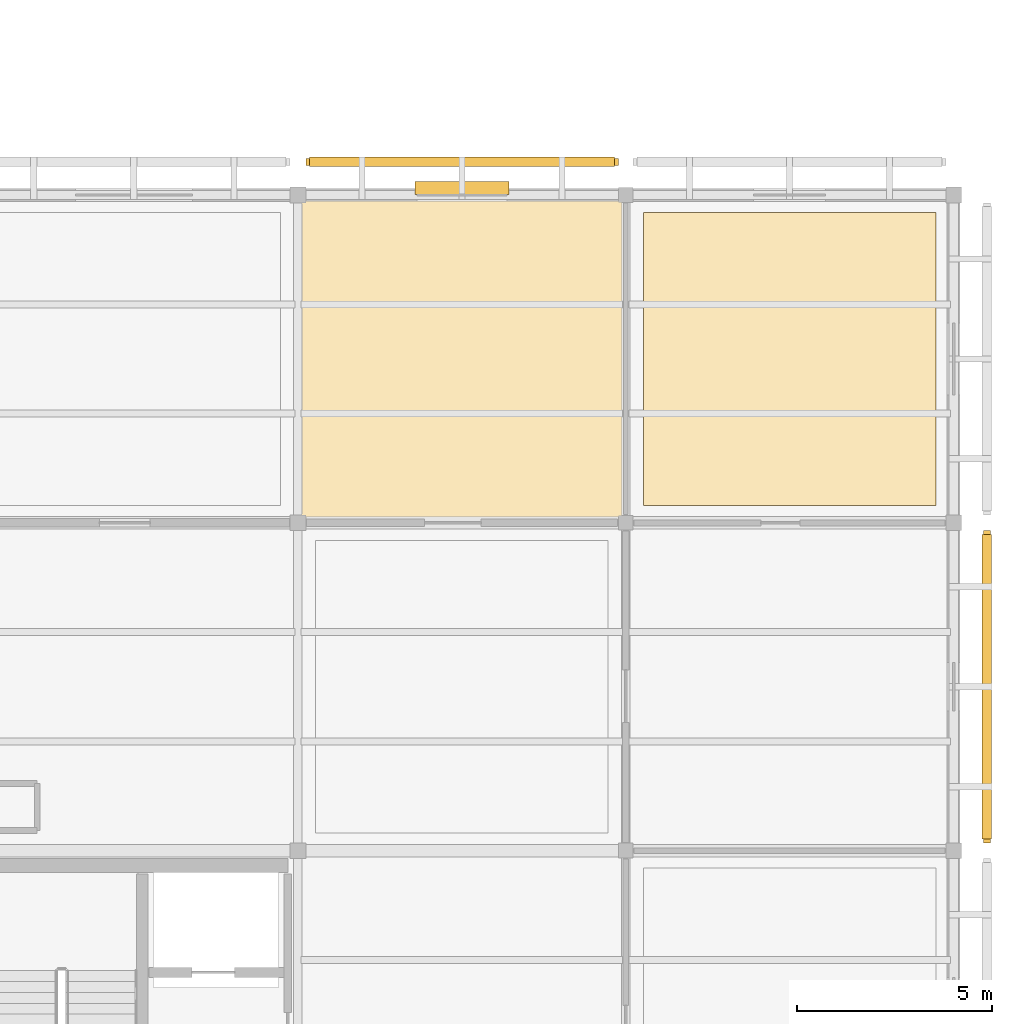
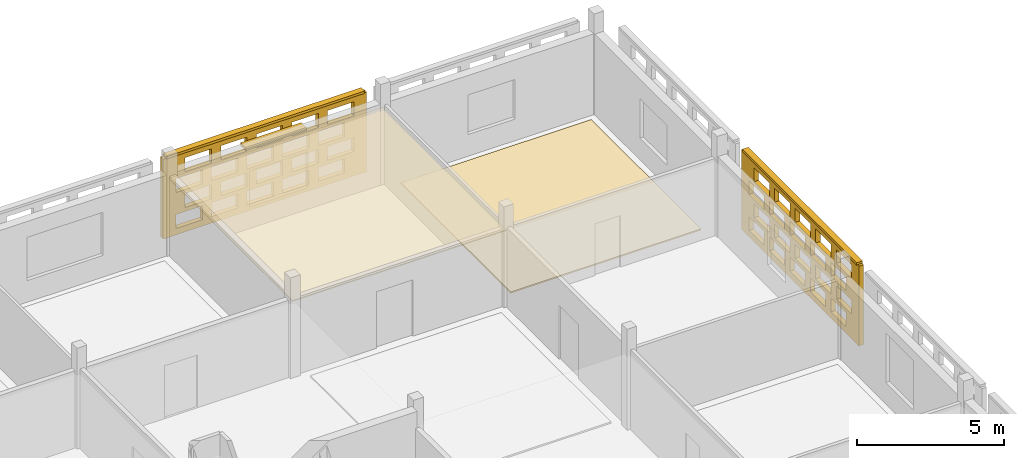
# One storey, part 139 of 140: 4 coverings, 3 shading devices, 40 openings.
"""IFC4 building model written with IfcOpenShell, lengths in metres."""

from ifc_helpers import new_model, si_unit, direction, frame, frame_2d, origin, origin_2d, place, context, subcontext, project, spatial, rectangle, extrude, material, layer, layer_set, type_object, element, save


model = new_model("IFC4")

# Units and contexts
model_context = context("Model", 3, precision=1e-05, world=origin(), true_north=direction((0.0, 1.0)))
body_context = subcontext(model_context, "Body", "Model", "MODEL_VIEW")
ifc_project = project(units=[si_unit("LENGTHUNIT", "METRE"), si_unit("AREAUNIT", "SQUARE_METRE"), si_unit("VOLUMEUNIT", "CUBIC_METRE"), si_unit("PLANEANGLEUNIT", "RADIAN"), si_unit("MASSUNIT", "GRAM", prefix="KILO")], contexts=[model_context])

# Site, building, storey
site_placement = place(None, origin())
site = spatial("IfcSite", under=ifc_project, at=site_placement, CompositionType="ELEMENT")
building_placement = place(site_placement, origin())
building = spatial("IfcBuilding", under=site, at=building_placement, Name="Varnapada Polytechnic", CompositionType="ELEMENT")
storey_placement = place(building_placement, frame((0.0, 0.0, 13.800048828125)))
storey = spatial("IfcBuildingStorey", under=building, at=storey_placement, Name="L03", CompositionType="ELEMENT", Elevation=13.800048828125)

# Covering
ifc_material_1 = material(Name="End-Grain Timber Studio Block Flooring", Category="wood")
ifc_layer_1 = layer(ifc_material_1, 0.054931640625)
ifc_layer_set_1 = layer_set([ifc_layer_1], Name="End-Grain Timber Studio Block Flooring")
covering_type_1 = type_object("IfcCoveringType", Name="Floor Finish FLR-04", PredefinedType="FLOORING", material=ifc_layer_set_1)
covering_1_placement = place(storey_placement, frame((172.199951171875, 113.39990234375, 0.0), z_axis=(0.0, 0.0, 1.0), x_axis=(1.0, 0.0, 0.0)))
element("IfcCovering", 1, at=covering_1_placement, inside=storey, type_object=covering_type_1, Name="L03 floor finish panel (21,14)", PredefinedType="FLOORING", context=body_context, shape_type="SweptSolid", body=[
    extrude(rectangle(XDim=7.5, YDim=7.5, at=origin_2d()), origin(), (0.0, 0.0, 1.0), 0.054931640625),
])

# Shading device
ifc_material_2 = material(Name="Anodised aluminium", Category="aluminium")
ifc_layer_2 = layer(ifc_material_2, 0.35009765625)
ifc_layer_set_2 = layer_set([ifc_layer_2], Name="Anodised aluminium")
shading_device_type_1 = type_object("IfcShadingDeviceType", Name="Solar Louvre LVR-01", PredefinedType="JALOUSIE", material=ifc_layer_set_2)
shading_device_1_placement = place(storey_placement, frame((163.804931640625, 117.780029296875, 3.159912109375), z_axis=(0.0, 0.0, 1.0), x_axis=(1.0, 0.0, 0.0)))
element("IfcShadingDevice", 2, at=shading_device_1_placement, inside=storey, type_object=shading_device_type_1, Name="L03 aluminium sun louvre 91", PredefinedType="JALOUSIE", context=body_context, shape_type="SweptSolid", body=[
    extrude(rectangle(XDim=2.39990234375, YDim=0.340087890625, at=origin_2d()), origin(), (0.0, 0.0, 1.0), 0.1201171875),
])

# Covering
ifc_material_3 = material(Name="Mineral Fibre Acoustic Ceiling Tile")
ifc_layer_3 = layer(ifc_material_3, 0.0400390625)
ifc_layer_set_3 = layer_set([ifc_layer_3], Name="Mineral Fibre Acoustic Ceiling Tile")
covering_type_2 = type_object("IfcCoveringType", Name="Suspended Ceiling CLG-01", PredefinedType="CEILING", material=ifc_layer_set_3)
covering_2_placement = place(storey_placement, frame((163.800048828125, 113.39990234375, 3.030029296875), z_axis=(0.0, 0.0, 1.0), x_axis=(1.0, 0.0, 0.0)))
element("IfcCovering", 3, at=covering_2_placement, inside=storey, type_object=covering_type_2, Name="L03 suspended acoustic ceiling (20,14)", PredefinedType="CEILING", context=body_context, shape_type="SweptSolid", body=[
    extrude(rectangle(XDim=8.419921875, YDim=8.419921875, at=origin_2d()), origin(), (0.0, 0.0, 1.0), 0.0400390625),
])

# Covering, openings
ifc_material_4 = material(Name="Earth-toned architectural terracotta screen block", Category="masonry")
ifc_layer_4 = layer(ifc_material_4, 0.1201171875)
ifc_layer_set_4 = layer_set([ifc_layer_4], Name="Earth-toned architectural terracotta screen block")
covering_type_3 = type_object("IfcCoveringType", Name="Terracotta Screen Cladding CLD-01", PredefinedType="CLADDING", material=ifc_layer_set_4)
covering_3_placement = place(storey_placement, frame((159.800048828125, 118.449951171875, 0.0), z_axis=(0.0, 0.0, 1.0), x_axis=(1.0, 0.0, 0.0)))
covering_3 = element("IfcCovering", 4, at=covering_3_placement, inside=storey, type_object=covering_type_3, Name="L03 perforated terracotta block screen (91)", PredefinedType="CLADDING", context=body_context, shape_type="SweptSolid", body=[
    extrude(rectangle(XDim=8.010009765625, YDim=0.179931640625, at=frame_2d((4.0048828125, 0.0))), origin(), (0.0, 0.0, 1.0), 3.320068359375),
])
opening_1_placement = place(covering_3_placement, frame((0.5048828125, 0.0, 0.265625)))
element("IfcOpeningElement", 5, at=opening_1_placement, cuts=covering_3, Name="Screen perforation TBS-L03-090.1", PredefinedType="OPENING", context=body_context, shape_type="SweptSolid", body=[
    extrude(rectangle(XDim=1.0400390625, YDim=0.5810546875, at=frame_2d((0.52001953125, 0.29052734375))), frame((0.0, 0.099853515625, 0.0), z_axis=(0.0, -1.0, 0.0), x_axis=(1.0, 0.0, 0.0)), (0.0, 0.0, 1.0), 0.199951171875),
])
opening_2_placement = place(covering_3_placement, frame((1.905029296875, 0.0, 0.265625)))
element("IfcOpeningElement", 6, at=opening_2_placement, cuts=covering_3, Name="Screen perforation TBS-L03-090.2", PredefinedType="OPENING", context=body_context, shape_type="SweptSolid", body=[
    extrude(rectangle(XDim=1.0400390625, YDim=0.5810546875, at=frame_2d((0.52001953125, 0.29052734375))), frame((0.0, 0.099853515625, 0.0), z_axis=(0.0, -1.0, 0.0), x_axis=(1.0, 0.0, 0.0)), (0.0, 0.0, 1.0), 0.199951171875),
])
opening_3_placement = place(covering_3_placement, frame((3.304931640625, 0.0, 0.265625)))
element("IfcOpeningElement", 7, at=opening_3_placement, cuts=covering_3, Name="Screen perforation TBS-L03-090.3", PredefinedType="OPENING", context=body_context, shape_type="SweptSolid", body=[
    extrude(rectangle(XDim=1.0400390625, YDim=0.5810546875, at=frame_2d((0.52001953125, 0.29052734375))), frame((0.0, 0.099853515625, 0.0), z_axis=(0.0, -1.0, 0.0), x_axis=(1.0, 0.0, 0.0)), (0.0, 0.0, 1.0), 0.199951171875),
])
opening_4_placement = place(covering_3_placement, frame((4.705078125, 0.0, 0.265625)))
element("IfcOpeningElement", 8, at=opening_4_placement, cuts=covering_3, Name="Screen perforation TBS-L03-090.4", PredefinedType="OPENING", context=body_context, shape_type="SweptSolid", body=[
    extrude(rectangle(XDim=1.0400390625, YDim=0.5810546875, at=frame_2d((0.52001953125, 0.29052734375))), frame((0.0, 0.099853515625, 0.0), z_axis=(0.0, -1.0, 0.0), x_axis=(1.0, 0.0, 0.0)), (0.0, 0.0, 1.0), 0.199951171875),
])
opening_5_placement = place(covering_3_placement, frame((6.10498046875, 0.0, 0.265625)))
element("IfcOpeningElement", 9, at=opening_5_placement, cuts=covering_3, Name="Screen perforation TBS-L03-090.5", PredefinedType="OPENING", context=body_context, shape_type="SweptSolid", body=[
    extrude(rectangle(XDim=1.0400390625, YDim=0.5810546875, at=frame_2d((0.52001953125, 0.29052734375))), frame((0.0, 0.099853515625, 0.0), z_axis=(0.0, -1.0, 0.0), x_axis=(1.0, 0.0, 0.0)), (0.0, 0.0, 1.0), 0.199951171875),
])
opening_6_placement = place(covering_3_placement, frame((0.864990234375, 0.0, 1.0126953125)))
element("IfcOpeningElement", 10, at=opening_6_placement, cuts=covering_3, Name="Screen perforation TBS-L03-090.6", PredefinedType="OPENING", context=body_context, shape_type="SweptSolid", body=[
    extrude(rectangle(XDim=1.0400390625, YDim=0.5810546875, at=frame_2d((0.52001953125, 0.29052734375))), frame((0.0, 0.099853515625, 0.0), z_axis=(0.0, -1.0, 0.0), x_axis=(1.0, 0.0, 0.0)), (0.0, 0.0, 1.0), 0.199951171875),
])
opening_7_placement = place(covering_3_placement, frame((2.264892578125, 0.0, 1.0126953125)))
element("IfcOpeningElement", 11, at=opening_7_placement, cuts=covering_3, Name="Screen perforation TBS-L03-090.7", PredefinedType="OPENING", context=body_context, shape_type="SweptSolid", body=[
    extrude(rectangle(XDim=1.0400390625, YDim=0.5810546875, at=frame_2d((0.52001953125, 0.29052734375))), frame((0.0, 0.099853515625, 0.0), z_axis=(0.0, -1.0, 0.0), x_axis=(1.0, 0.0, 0.0)), (0.0, 0.0, 1.0), 0.199951171875),
])
opening_8_placement = place(covering_3_placement, frame((3.6650390625, 0.0, 1.0126953125)))
element("IfcOpeningElement", 12, at=opening_8_placement, cuts=covering_3, Name="Screen perforation TBS-L03-090.8", PredefinedType="OPENING", context=body_context, shape_type="SweptSolid", body=[
    extrude(rectangle(XDim=1.0400390625, YDim=0.5810546875, at=frame_2d((0.52001953125, 0.29052734375))), frame((0.0, 0.099853515625, 0.0), z_axis=(0.0, -1.0, 0.0), x_axis=(1.0, 0.0, 0.0)), (0.0, 0.0, 1.0), 0.199951171875),
])
opening_9_placement = place(covering_3_placement, frame((5.06494140625, 0.0, 1.0126953125)))
element("IfcOpeningElement", 13, at=opening_9_placement, cuts=covering_3, Name="Screen perforation TBS-L03-090.9", PredefinedType="OPENING", context=body_context, shape_type="SweptSolid", body=[
    extrude(rectangle(XDim=1.0400390625, YDim=0.5810546875, at=frame_2d((0.52001953125, 0.29052734375))), frame((0.0, 0.099853515625, 0.0), z_axis=(0.0, -1.0, 0.0), x_axis=(1.0, 0.0, 0.0)), (0.0, 0.0, 1.0), 0.199951171875),
])
opening_10_placement = place(covering_3_placement, frame((6.465087890625, 0.0, 1.0126953125)))
element("IfcOpeningElement", 14, at=opening_10_placement, cuts=covering_3, Name="Screen perforation TBS-L03-090.10", PredefinedType="OPENING", context=body_context, shape_type="SweptSolid", body=[
    extrude(rectangle(XDim=1.0400390625, YDim=0.5810546875, at=frame_2d((0.52001953125, 0.29052734375))), frame((0.0, 0.099853515625, 0.0), z_axis=(0.0, -1.0, 0.0), x_axis=(1.0, 0.0, 0.0)), (0.0, 0.0, 1.0), 0.199951171875),
])
opening_11_placement = place(covering_3_placement, frame((0.5048828125, 0.0, 1.759521484375)))
element("IfcOpeningElement", 15, at=opening_11_placement, cuts=covering_3, Name="Screen perforation TBS-L03-090.11", PredefinedType="OPENING", context=body_context, shape_type="SweptSolid", body=[
    extrude(rectangle(XDim=1.0400390625, YDim=0.5810546875, at=frame_2d((0.52001953125, 0.29052734375))), frame((0.0, 0.099853515625, 0.0), z_axis=(0.0, -1.0, 0.0), x_axis=(1.0, 0.0, 0.0)), (0.0, 0.0, 1.0), 0.199951171875),
])
opening_12_placement = place(covering_3_placement, frame((1.905029296875, 0.0, 1.759521484375)))
element("IfcOpeningElement", 16, at=opening_12_placement, cuts=covering_3, Name="Screen perforation TBS-L03-090.12", PredefinedType="OPENING", context=body_context, shape_type="SweptSolid", body=[
    extrude(rectangle(XDim=1.0400390625, YDim=0.5810546875, at=frame_2d((0.52001953125, 0.29052734375))), frame((0.0, 0.099853515625, 0.0), z_axis=(0.0, -1.0, 0.0), x_axis=(1.0, 0.0, 0.0)), (0.0, 0.0, 1.0), 0.199951171875),
])
opening_13_placement = place(covering_3_placement, frame((3.304931640625, 0.0, 1.759521484375)))
element("IfcOpeningElement", 17, at=opening_13_placement, cuts=covering_3, Name="Screen perforation TBS-L03-090.13", PredefinedType="OPENING", context=body_context, shape_type="SweptSolid", body=[
    extrude(rectangle(XDim=1.0400390625, YDim=0.5810546875, at=frame_2d((0.52001953125, 0.29052734375))), frame((0.0, 0.099853515625, 0.0), z_axis=(0.0, -1.0, 0.0), x_axis=(1.0, 0.0, 0.0)), (0.0, 0.0, 1.0), 0.199951171875),
])
opening_14_placement = place(covering_3_placement, frame((4.705078125, 0.0, 1.759521484375)))
element("IfcOpeningElement", 18, at=opening_14_placement, cuts=covering_3, Name="Screen perforation TBS-L03-090.14", PredefinedType="OPENING", context=body_context, shape_type="SweptSolid", body=[
    extrude(rectangle(XDim=1.0400390625, YDim=0.5810546875, at=frame_2d((0.52001953125, 0.29052734375))), frame((0.0, 0.099853515625, 0.0), z_axis=(0.0, -1.0, 0.0), x_axis=(1.0, 0.0, 0.0)), (0.0, 0.0, 1.0), 0.199951171875),
])
opening_15_placement = place(covering_3_placement, frame((6.10498046875, 0.0, 1.759521484375)))
element("IfcOpeningElement", 19, at=opening_15_placement, cuts=covering_3, Name="Screen perforation TBS-L03-090.15", PredefinedType="OPENING", context=body_context, shape_type="SweptSolid", body=[
    extrude(rectangle(XDim=1.0400390625, YDim=0.5810546875, at=frame_2d((0.52001953125, 0.29052734375))), frame((0.0, 0.099853515625, 0.0), z_axis=(0.0, -1.0, 0.0), x_axis=(1.0, 0.0, 0.0)), (0.0, 0.0, 1.0), 0.199951171875),
])
opening_16_placement = place(covering_3_placement, frame((0.864990234375, 0.0, 2.506591796875)))
element("IfcOpeningElement", 20, at=opening_16_placement, cuts=covering_3, Name="Screen perforation TBS-L03-090.16", PredefinedType="OPENING", context=body_context, shape_type="SweptSolid", body=[
    extrude(rectangle(XDim=1.0400390625, YDim=0.5810546875, at=frame_2d((0.52001953125, 0.29052734375))), frame((0.0, 0.099853515625, 0.0), z_axis=(0.0, -1.0, 0.0), x_axis=(1.0, 0.0, 0.0)), (0.0, 0.0, 1.0), 0.199951171875),
])
opening_17_placement = place(covering_3_placement, frame((2.264892578125, 0.0, 2.506591796875)))
element("IfcOpeningElement", 21, at=opening_17_placement, cuts=covering_3, Name="Screen perforation TBS-L03-090.17", PredefinedType="OPENING", context=body_context, shape_type="SweptSolid", body=[
    extrude(rectangle(XDim=1.0400390625, YDim=0.5810546875, at=frame_2d((0.52001953125, 0.29052734375))), frame((0.0, 0.099853515625, 0.0), z_axis=(0.0, -1.0, 0.0), x_axis=(1.0, 0.0, 0.0)), (0.0, 0.0, 1.0), 0.199951171875),
])
opening_18_placement = place(covering_3_placement, frame((3.6650390625, 0.0, 2.506591796875)))
element("IfcOpeningElement", 22, at=opening_18_placement, cuts=covering_3, Name="Screen perforation TBS-L03-090.18", PredefinedType="OPENING", context=body_context, shape_type="SweptSolid", body=[
    extrude(rectangle(XDim=1.0400390625, YDim=0.5810546875, at=frame_2d((0.52001953125, 0.29052734375))), frame((0.0, 0.099853515625, 0.0), z_axis=(0.0, -1.0, 0.0), x_axis=(1.0, 0.0, 0.0)), (0.0, 0.0, 1.0), 0.199951171875),
])
opening_19_placement = place(covering_3_placement, frame((5.06494140625, 0.0, 2.506591796875)))
element("IfcOpeningElement", 23, at=opening_19_placement, cuts=covering_3, Name="Screen perforation TBS-L03-090.19", PredefinedType="OPENING", context=body_context, shape_type="SweptSolid", body=[
    extrude(rectangle(XDim=1.0400390625, YDim=0.5810546875, at=frame_2d((0.52001953125, 0.29052734375))), frame((0.0, 0.099853515625, 0.0), z_axis=(0.0, -1.0, 0.0), x_axis=(1.0, 0.0, 0.0)), (0.0, 0.0, 1.0), 0.199951171875),
])
opening_20_placement = place(covering_3_placement, frame((6.465087890625, 0.0, 2.506591796875)))
element("IfcOpeningElement", 24, at=opening_20_placement, cuts=covering_3, Name="Screen perforation TBS-L03-090.20", PredefinedType="OPENING", context=body_context, shape_type="SweptSolid", body=[
    extrude(rectangle(XDim=1.0400390625, YDim=0.5810546875, at=frame_2d((0.52001953125, 0.29052734375))), frame((0.0, 0.099853515625, 0.0), z_axis=(0.0, -1.0, 0.0), x_axis=(1.0, 0.0, 0.0)), (0.0, 0.0, 1.0), 0.199951171875),
])

covering_4_placement = place(storey_placement, frame((177.25, 109.0, 0.0), z_axis=(0.0, 0.0, 1.0), x_axis=(0.0, -1.0, 0.0)))
covering_4 = element("IfcCovering", 25, at=covering_4_placement, inside=storey, type_object=covering_type_3, Name="L03 perforated terracotta block screen (98)", PredefinedType="CLADDING", context=body_context, shape_type="SweptSolid", body=[
    extrude(rectangle(XDim=8.0, YDim=0.179931640625, at=frame_2d((4.0, 0.0))), origin(), (0.0, 0.0, 1.0), 3.320068359375),
])
opening_21_placement = place(covering_4_placement, frame((0.5, 0.0, 0.265625)))
element("IfcOpeningElement", 26, at=opening_21_placement, cuts=covering_4, Name="Screen perforation TBS-L03-097.1", PredefinedType="OPENING", context=body_context, shape_type="SweptSolid", body=[
    extrude(rectangle(XDim=1.0400390625, YDim=0.5810546875, at=frame_2d((0.52001953125, 0.29052734375))), frame((0.0, 0.099853515625, 0.0), z_axis=(0.0, -1.0, 0.0), x_axis=(1.0, 0.0, 0.0)), (0.0, 0.0, 1.0), 0.199951171875),
])
opening_22_placement = place(covering_4_placement, frame((1.89990234375, 0.0, 0.265625)))
element("IfcOpeningElement", 27, at=opening_22_placement, cuts=covering_4, Name="Screen perforation TBS-L03-097.2", PredefinedType="OPENING", context=body_context, shape_type="SweptSolid", body=[
    extrude(rectangle(XDim=1.0400390625, YDim=0.5810546875, at=frame_2d((0.52001953125, 0.29052734375))), frame((0.0, 0.099853515625, 0.0), z_axis=(0.0, -1.0, 0.0), x_axis=(1.0, 0.0, 0.0)), (0.0, 0.0, 1.0), 0.199951171875),
])
opening_23_placement = place(covering_4_placement, frame((3.300048828125, 0.0, 0.265625)))
element("IfcOpeningElement", 28, at=opening_23_placement, cuts=covering_4, Name="Screen perforation TBS-L03-097.3", PredefinedType="OPENING", context=body_context, shape_type="SweptSolid", body=[
    extrude(rectangle(XDim=1.0400390625, YDim=0.5810546875, at=frame_2d((0.52001953125, 0.29052734375))), frame((0.0, 0.099853515625, 0.0), z_axis=(0.0, -1.0, 0.0), x_axis=(1.0, 0.0, 0.0)), (0.0, 0.0, 1.0), 0.199951171875),
])
opening_24_placement = place(covering_4_placement, frame((4.699951171875, 0.0, 0.265625)))
element("IfcOpeningElement", 29, at=opening_24_placement, cuts=covering_4, Name="Screen perforation TBS-L03-097.4", PredefinedType="OPENING", context=body_context, shape_type="SweptSolid", body=[
    extrude(rectangle(XDim=1.0400390625, YDim=0.5810546875, at=frame_2d((0.52001953125, 0.29052734375))), frame((0.0, 0.099853515625, 0.0), z_axis=(0.0, -1.0, 0.0), x_axis=(1.0, 0.0, 0.0)), (0.0, 0.0, 1.0), 0.199951171875),
])
opening_25_placement = place(covering_4_placement, frame((6.10009765625, 0.0, 0.265625)))
element("IfcOpeningElement", 30, at=opening_25_placement, cuts=covering_4, Name="Screen perforation TBS-L03-097.5", PredefinedType="OPENING", context=body_context, shape_type="SweptSolid", body=[
    extrude(rectangle(XDim=1.0400390625, YDim=0.5810546875, at=frame_2d((0.52001953125, 0.29052734375))), frame((0.0, 0.099853515625, 0.0), z_axis=(0.0, -1.0, 0.0), x_axis=(1.0, 0.0, 0.0)), (0.0, 0.0, 1.0), 0.199951171875),
])
opening_26_placement = place(covering_4_placement, frame((0.860107421875, 0.0, 1.0126953125)))
element("IfcOpeningElement", 31, at=opening_26_placement, cuts=covering_4, Name="Screen perforation TBS-L03-097.6", PredefinedType="OPENING", context=body_context, shape_type="SweptSolid", body=[
    extrude(rectangle(XDim=1.0400390625, YDim=0.5810546875, at=frame_2d((0.52001953125, 0.29052734375))), frame((0.0, 0.099853515625, 0.0), z_axis=(0.0, -1.0, 0.0), x_axis=(1.0, 0.0, 0.0)), (0.0, 0.0, 1.0), 0.199951171875),
])
opening_27_placement = place(covering_4_placement, frame((2.260009765625, 0.0, 1.0126953125)))
element("IfcOpeningElement", 32, at=opening_27_placement, cuts=covering_4, Name="Screen perforation TBS-L03-097.7", PredefinedType="OPENING", context=body_context, shape_type="SweptSolid", body=[
    extrude(rectangle(XDim=1.0400390625, YDim=0.5810546875, at=frame_2d((0.52001953125, 0.29052734375))), frame((0.0, 0.099853515625, 0.0), z_axis=(0.0, -1.0, 0.0), x_axis=(1.0, 0.0, 0.0)), (0.0, 0.0, 1.0), 0.199951171875),
])
opening_28_placement = place(covering_4_placement, frame((3.659912109375, 0.0, 1.0126953125)))
element("IfcOpeningElement", 33, at=opening_28_placement, cuts=covering_4, Name="Screen perforation TBS-L03-097.8", PredefinedType="OPENING", context=body_context, shape_type="SweptSolid", body=[
    extrude(rectangle(XDim=1.0400390625, YDim=0.5810546875, at=frame_2d((0.52001953125, 0.29052734375))), frame((0.0, 0.099853515625, 0.0), z_axis=(0.0, -1.0, 0.0), x_axis=(1.0, 0.0, 0.0)), (0.0, 0.0, 1.0), 0.199951171875),
])
opening_29_placement = place(covering_4_placement, frame((5.06005859375, 0.0, 1.0126953125)))
element("IfcOpeningElement", 34, at=opening_29_placement, cuts=covering_4, Name="Screen perforation TBS-L03-097.9", PredefinedType="OPENING", context=body_context, shape_type="SweptSolid", body=[
    extrude(rectangle(XDim=1.0400390625, YDim=0.5810546875, at=frame_2d((0.52001953125, 0.29052734375))), frame((0.0, 0.099853515625, 0.0), z_axis=(0.0, -1.0, 0.0), x_axis=(1.0, 0.0, 0.0)), (0.0, 0.0, 1.0), 0.199951171875),
])
opening_30_placement = place(covering_4_placement, frame((6.4599609375, 0.0, 1.0126953125)))
element("IfcOpeningElement", 35, at=opening_30_placement, cuts=covering_4, Name="Screen perforation TBS-L03-097.10", PredefinedType="OPENING", context=body_context, shape_type="SweptSolid", body=[
    extrude(rectangle(XDim=1.0400390625, YDim=0.5810546875, at=frame_2d((0.52001953125, 0.29052734375))), frame((0.0, 0.099853515625, 0.0), z_axis=(0.0, -1.0, 0.0), x_axis=(1.0, 0.0, 0.0)), (0.0, 0.0, 1.0), 0.199951171875),
])
opening_31_placement = place(covering_4_placement, frame((0.5, 0.0, 1.759521484375)))
element("IfcOpeningElement", 36, at=opening_31_placement, cuts=covering_4, Name="Screen perforation TBS-L03-097.11", PredefinedType="OPENING", context=body_context, shape_type="SweptSolid", body=[
    extrude(rectangle(XDim=1.0400390625, YDim=0.5810546875, at=frame_2d((0.52001953125, 0.29052734375))), frame((0.0, 0.099853515625, 0.0), z_axis=(0.0, -1.0, 0.0), x_axis=(1.0, 0.0, 0.0)), (0.0, 0.0, 1.0), 0.199951171875),
])
opening_32_placement = place(covering_4_placement, frame((1.89990234375, 0.0, 1.759521484375)))
element("IfcOpeningElement", 37, at=opening_32_placement, cuts=covering_4, Name="Screen perforation TBS-L03-097.12", PredefinedType="OPENING", context=body_context, shape_type="SweptSolid", body=[
    extrude(rectangle(XDim=1.0400390625, YDim=0.5810546875, at=frame_2d((0.52001953125, 0.29052734375))), frame((0.0, 0.099853515625, 0.0), z_axis=(0.0, -1.0, 0.0), x_axis=(1.0, 0.0, 0.0)), (0.0, 0.0, 1.0), 0.199951171875),
])
opening_33_placement = place(covering_4_placement, frame((3.300048828125, 0.0, 1.759521484375)))
element("IfcOpeningElement", 38, at=opening_33_placement, cuts=covering_4, Name="Screen perforation TBS-L03-097.13", PredefinedType="OPENING", context=body_context, shape_type="SweptSolid", body=[
    extrude(rectangle(XDim=1.0400390625, YDim=0.5810546875, at=frame_2d((0.52001953125, 0.29052734375))), frame((0.0, 0.099853515625, 0.0), z_axis=(0.0, -1.0, 0.0), x_axis=(1.0, 0.0, 0.0)), (0.0, 0.0, 1.0), 0.199951171875),
])
opening_34_placement = place(covering_4_placement, frame((4.699951171875, 0.0, 1.759521484375)))
element("IfcOpeningElement", 39, at=opening_34_placement, cuts=covering_4, Name="Screen perforation TBS-L03-097.14", PredefinedType="OPENING", context=body_context, shape_type="SweptSolid", body=[
    extrude(rectangle(XDim=1.0400390625, YDim=0.5810546875, at=frame_2d((0.52001953125, 0.29052734375))), frame((0.0, 0.099853515625, 0.0), z_axis=(0.0, -1.0, 0.0), x_axis=(1.0, 0.0, 0.0)), (0.0, 0.0, 1.0), 0.199951171875),
])
opening_35_placement = place(covering_4_placement, frame((6.10009765625, 0.0, 1.759521484375)))
element("IfcOpeningElement", 40, at=opening_35_placement, cuts=covering_4, Name="Screen perforation TBS-L03-097.15", PredefinedType="OPENING", context=body_context, shape_type="SweptSolid", body=[
    extrude(rectangle(XDim=1.0400390625, YDim=0.5810546875, at=frame_2d((0.52001953125, 0.29052734375))), frame((0.0, 0.099853515625, 0.0), z_axis=(0.0, -1.0, 0.0), x_axis=(1.0, 0.0, 0.0)), (0.0, 0.0, 1.0), 0.199951171875),
])
opening_36_placement = place(covering_4_placement, frame((0.860107421875, 0.0, 2.506591796875)))
element("IfcOpeningElement", 41, at=opening_36_placement, cuts=covering_4, Name="Screen perforation TBS-L03-097.16", PredefinedType="OPENING", context=body_context, shape_type="SweptSolid", body=[
    extrude(rectangle(XDim=1.0400390625, YDim=0.5810546875, at=frame_2d((0.52001953125, 0.29052734375))), frame((0.0, 0.099853515625, 0.0), z_axis=(0.0, -1.0, 0.0), x_axis=(1.0, 0.0, 0.0)), (0.0, 0.0, 1.0), 0.199951171875),
])
opening_37_placement = place(covering_4_placement, frame((2.260009765625, 0.0, 2.506591796875)))
element("IfcOpeningElement", 42, at=opening_37_placement, cuts=covering_4, Name="Screen perforation TBS-L03-097.17", PredefinedType="OPENING", context=body_context, shape_type="SweptSolid", body=[
    extrude(rectangle(XDim=1.0400390625, YDim=0.5810546875, at=frame_2d((0.52001953125, 0.29052734375))), frame((0.0, 0.099853515625, 0.0), z_axis=(0.0, -1.0, 0.0), x_axis=(1.0, 0.0, 0.0)), (0.0, 0.0, 1.0), 0.199951171875),
])
opening_38_placement = place(covering_4_placement, frame((3.659912109375, 0.0, 2.506591796875)))
element("IfcOpeningElement", 43, at=opening_38_placement, cuts=covering_4, Name="Screen perforation TBS-L03-097.18", PredefinedType="OPENING", context=body_context, shape_type="SweptSolid", body=[
    extrude(rectangle(XDim=1.0400390625, YDim=0.5810546875, at=frame_2d((0.52001953125, 0.29052734375))), frame((0.0, 0.099853515625, 0.0), z_axis=(0.0, -1.0, 0.0), x_axis=(1.0, 0.0, 0.0)), (0.0, 0.0, 1.0), 0.199951171875),
])
opening_39_placement = place(covering_4_placement, frame((5.06005859375, 0.0, 2.506591796875)))
element("IfcOpeningElement", 44, at=opening_39_placement, cuts=covering_4, Name="Screen perforation TBS-L03-097.19", PredefinedType="OPENING", context=body_context, shape_type="SweptSolid", body=[
    extrude(rectangle(XDim=1.0400390625, YDim=0.5810546875, at=frame_2d((0.52001953125, 0.29052734375))), frame((0.0, 0.099853515625, 0.0), z_axis=(0.0, -1.0, 0.0), x_axis=(1.0, 0.0, 0.0)), (0.0, 0.0, 1.0), 0.199951171875),
])
opening_40_placement = place(covering_4_placement, frame((6.4599609375, 0.0, 2.506591796875)))
element("IfcOpeningElement", 45, at=opening_40_placement, cuts=covering_4, Name="Screen perforation TBS-L03-097.20", PredefinedType="OPENING", context=body_context, shape_type="SweptSolid", body=[
    extrude(rectangle(XDim=1.0400390625, YDim=0.5810546875, at=frame_2d((0.52001953125, 0.29052734375))), frame((0.0, 0.099853515625, 0.0), z_axis=(0.0, -1.0, 0.0), x_axis=(1.0, 0.0, 0.0)), (0.0, 0.0, 1.0), 0.199951171875),
])

# Shading devices
ifc_layer_5 = layer(ifc_material_4, 0.179931640625)
ifc_layer_set_5 = layer_set([ifc_layer_5], Name="Earth-toned architectural terracotta screen block")
shading_device_type_2 = type_object("IfcShadingDeviceType", Name="Terracotta Screen SCR-01", PredefinedType="USERDEFINED", material=ifc_layer_set_5)
shading_device_2_placement = place(storey_placement, frame((163.804931640625, 118.449951171875, 3.309814453125), z_axis=(0.0, 0.0, 1.0), x_axis=(1.0, 0.0, 0.0)))
element("IfcShadingDevice", 46, at=shading_device_2_placement, inside=storey, type_object=shading_device_type_2, Name="L03 perforated terracotta screen hood 413", ObjectType="SCREEN", PredefinedType="USERDEFINED", context=body_context, shape_type="SweptSolid", body=[
    extrude(rectangle(XDim=7.81005859375, YDim=0.239990234375, at=origin_2d()), origin(), (0.0, 0.0, 1.0), 0.10009765625),
])
shading_device_3_placement = place(storey_placement, frame((177.25, 105.0, 3.309814453125), z_axis=(0.0, 0.0, 1.0), x_axis=(0.0, -1.0, 0.0)))
element("IfcShadingDevice", 47, at=shading_device_3_placement, inside=storey, type_object=shading_device_type_2, Name="L03 perforated terracotta screen hood 420", ObjectType="SCREEN", PredefinedType="USERDEFINED", context=body_context, shape_type="SweptSolid", body=[
    extrude(rectangle(XDim=7.800048828125, YDim=0.239990234375, at=origin_2d()), origin(), (0.0, 0.0, 1.0), 0.10009765625),
])

save(model, "model.ifc")
